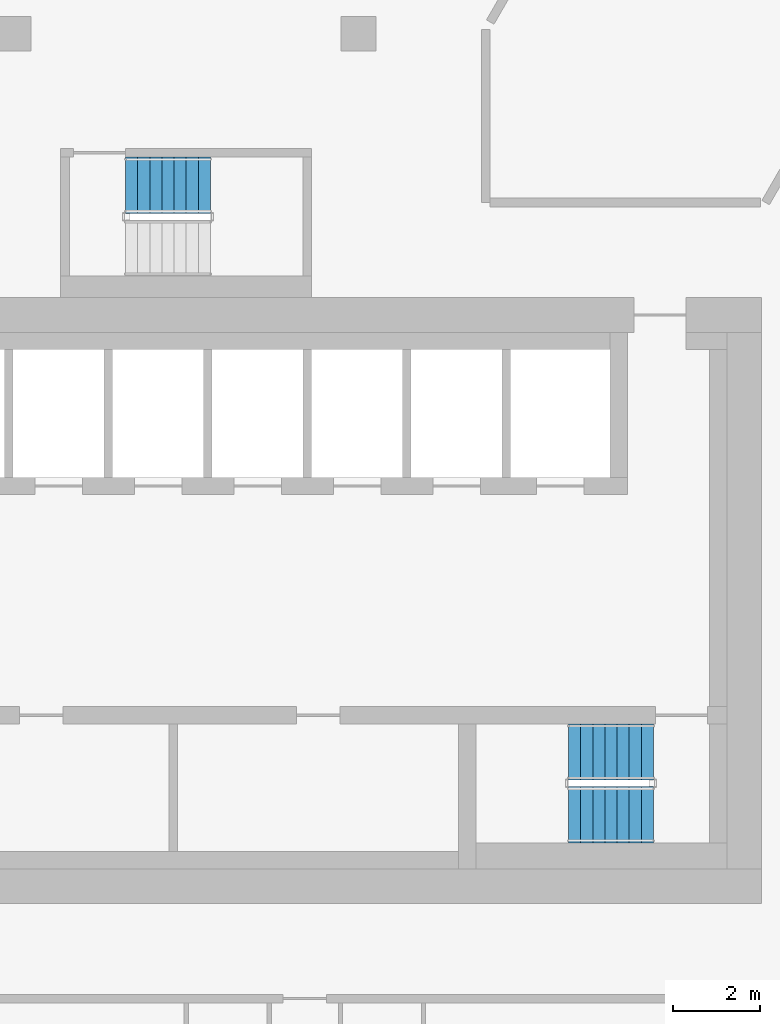
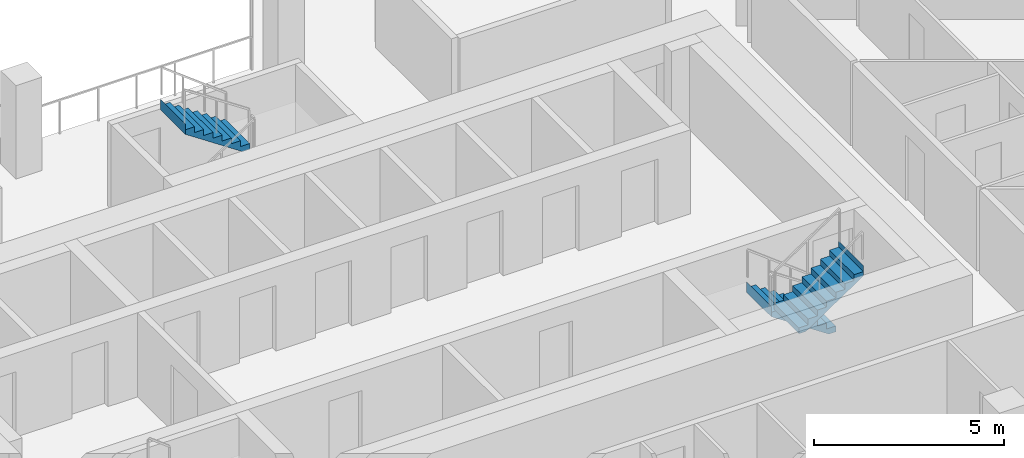
# One storey, part 11 of 15: 3 stair flights, 2 elements without a shape of their own.
"""IFC4 building model written with IfcOpenShell, lengths in metres."""

from ifc_helpers import new_model, si_unit, direction, frame, origin, place, context, subcontext, project, spatial, triangles, material, type_object, element, aggregate, save


model = new_model("IFC4")

# Units and contexts
model_context = context("Model", 3, precision=1e-05, world=origin(), true_north=direction((0.0, 1.0)))
body_context = subcontext(model_context, "Body", "Model", "MODEL_VIEW")
ifc_project = project(units=[si_unit("LENGTHUNIT", "METRE"), si_unit("AREAUNIT", "SQUARE_METRE"), si_unit("VOLUMEUNIT", "CUBIC_METRE"), si_unit("PLANEANGLEUNIT", "RADIAN"), si_unit("MASSUNIT", "GRAM", prefix="KILO")], contexts=[model_context])

# Site, building, storey
site_placement = place(None, origin())
site = spatial("IfcSite", under=ifc_project, at=site_placement, CompositionType="ELEMENT")
building_placement = place(site_placement, origin())
building = spatial("IfcBuilding", under=site, at=building_placement, Name="Beryl Residences", CompositionType="ELEMENT")
storey_placement = place(building_placement, frame((0.0, 0.0, 147.60009765625)))
storey = spatial("IfcBuildingStorey", under=building, at=storey_placement, Name="L45", CompositionType="ELEMENT", Elevation=147.60009765625)

# Stair, stair flights
ifc_material_1 = material(Name="Concrete C40/50", Category="concrete")
stair_type = type_object("IfcStairType", Name="ST1 protected exit stair, half-turn, 1300 mm flights", PredefinedType="HALF_TURN_STAIR", material=ifc_material_1)
stair_1_placement = place(storey_placement, origin())
stair_1 = element("IfcStair", 1, at=stair_1_placement, inside=storey, type_object=stair_type, Name="L45 PROTECTED EXIT STAIR ST-3", PredefinedType="HALF_TURN_STAIR")
ifc_material_2 = material(Name="Concrete C40/50", Category="concrete")
stair_flight_type = type_object("IfcStairFlightType", Name="SF1 stair flight 1300 mm", PredefinedType="STRAIGHT", material=ifc_material_2)
stair_flight_1_placement = place(storey_placement, frame((10.800048828125, -15.5, 0.0), z_axis=(0.0, 0.0, 1.0), x_axis=(-1.0, 0.0, 0.0)))
stair_flight_1 = element("IfcStairFlight", 2, at=stair_flight_1_placement, type_object=stair_flight_type, Name="ST-3 flight 1", NumberOfRisers=8, NumberOfTreads=7, PredefinedType="STRAIGHT", RiserHeight=0.1875, TreadLength=0.28, context=body_context, shape_type="Tessellation", body=[
    triangles([(0.0, -0.64990234375, 0.0), (0.0, -0.324951171875, 0.0), (0.0, 0.0, 0.0), (0.0, 0.324951171875, 0.0), (0.0, 0.64990234375, 0.0), (0.0, -0.64990234375, 0.1875), (0.0, -0.324951171875, 0.1875), (0.0, 0.0, 0.1875), (0.0, 0.324951171875, 0.1875), (0.0, 0.64990234375, 0.1875), (0.280029296875, -0.64990234375, 0.1875), (0.280029296875, -0.324951171875, 0.1875), (0.280029296875, 0.0, 0.1875), (0.280029296875, 0.324951171875, 0.1875), (0.280029296875, 0.64990234375, 0.1875), (0.280029296875, -0.64990234375, 0.375), (0.280029296875, -0.324951171875, 0.375), (0.280029296875, 0.0, 0.375), (0.280029296875, 0.324951171875, 0.375), (0.280029296875, 0.64990234375, 0.375), (0.56005859375, -0.64990234375, 0.375), (0.56005859375, -0.324951171875, 0.375), (0.56005859375, 0.0, 0.375), (0.56005859375, 0.324951171875, 0.375), (0.56005859375, 0.64990234375, 0.375), (0.56005859375, -0.64990234375, 0.5625), (0.56005859375, -0.324951171875, 0.5625), (0.56005859375, 0.0, 0.5625), (0.56005859375, 0.324951171875, 0.5625), (0.56005859375, 0.64990234375, 0.5625), (0.840087890625, -0.64990234375, 0.5625), (0.840087890625, -0.324951171875, 0.5625), (0.840087890625, 0.0, 0.5625), (0.840087890625, 0.324951171875, 0.5625), (0.840087890625, 0.64990234375, 0.5625), (0.840087890625, -0.64990234375, 0.75), (0.840087890625, -0.324951171875, 0.75), (0.840087890625, 0.0, 0.75), (0.840087890625, 0.324951171875, 0.75), (0.840087890625, 0.64990234375, 0.75), (1.1201171875, -0.64990234375, 0.75), (1.1201171875, -0.324951171875, 0.75), (1.1201171875, 0.0, 0.75), (1.1201171875, 0.324951171875, 0.75), (1.1201171875, 0.64990234375, 0.75), (1.1201171875, -0.64990234375, 0.9375), (1.1201171875, -0.324951171875, 0.9375), (1.1201171875, 0.0, 0.9375), (1.1201171875, 0.324951171875, 0.9375), (1.1201171875, 0.64990234375, 0.9375), (1.39990234375, -0.64990234375, 0.9375), (1.39990234375, -0.324951171875, 0.9375), (1.39990234375, 0.0, 0.9375), (1.39990234375, 0.324951171875, 0.9375), (1.39990234375, 0.64990234375, 0.9375), (1.39990234375, -0.64990234375, 1.125), (1.39990234375, -0.324951171875, 1.125), (1.39990234375, 0.0, 1.125), (1.39990234375, 0.324951171875, 1.125), (1.39990234375, 0.64990234375, 1.125), (1.679931640625, -0.64990234375, 1.125), (1.679931640625, -0.324951171875, 1.125), (1.679931640625, 0.0, 1.125), (1.679931640625, 0.324951171875, 1.125), (1.679931640625, 0.64990234375, 1.125), (1.679931640625, -0.64990234375, 1.3125), (1.679931640625, -0.324951171875, 1.3125), (1.679931640625, 0.0, 1.3125), (1.679931640625, 0.324951171875, 1.3125), (1.679931640625, 0.64990234375, 1.3125), (1.9599609375, -0.64990234375, 1.3125), (1.9599609375, -0.324951171875, 1.3125), (1.9599609375, 0.0, 1.3125), (1.9599609375, 0.324951171875, 1.3125), (1.9599609375, 0.64990234375, 1.3125), (1.9599609375, -0.64990234375, 1.5), (1.9599609375, -0.324951171875, 1.5), (1.9599609375, 0.0, 1.5), (1.9599609375, 0.324951171875, 1.5), (1.9599609375, 0.64990234375, 1.5), (1.9609375, -0.64990234375, 1.5), (1.9609375, -0.324951171875, 1.5), (1.9609375, 0.0, 1.5), (1.9609375, 0.324951171875, 1.5), (1.9609375, 0.64990234375, 1.5), (1.9609375, -0.64990234375, 1.16796875), (1.9609375, -0.324951171875, 1.16796875), (1.9609375, 0.0, 1.16796875), (1.9609375, 0.324951171875, 1.16796875), (1.9609375, 0.64990234375, 1.16796875), (0.216796875, -0.64990234375, 0.0), (0.216796875, -0.324951171875, 0.0), (0.216796875, 0.0, 0.0), (0.216796875, 0.324951171875, 0.0), (0.216796875, 0.64990234375, 0.0)], [[1, 6, 7], [1, 7, 2], [2, 7, 8], [2, 8, 3], [3, 8, 9], [3, 9, 4], [4, 9, 10], [4, 10, 5], [6, 11, 12], [6, 12, 7], [7, 12, 13], [7, 13, 8], [8, 13, 14], [8, 14, 9], [9, 14, 15], [9, 15, 10], [11, 16, 17], [11, 17, 12], [12, 17, 18], [12, 18, 13], [13, 18, 19], [13, 19, 14], [14, 19, 20], [14, 20, 15], [16, 21, 22], [16, 22, 17], [17, 22, 23], [17, 23, 18], [18, 23, 24], [18, 24, 19], [19, 24, 25], [19, 25, 20], [21, 26, 27], [21, 27, 22], [22, 27, 28], [22, 28, 23], [23, 28, 29], [23, 29, 24], [24, 29, 30], [24, 30, 25], [26, 31, 32], [26, 32, 27], [27, 32, 33], [27, 33, 28], [28, 33, 34], [28, 34, 29], [29, 34, 35], [29, 35, 30], [31, 36, 37], [31, 37, 32], [32, 37, 38], [32, 38, 33], [33, 38, 39], [33, 39, 34], [34, 39, 40], [34, 40, 35], [36, 41, 42], [36, 42, 37], [37, 42, 43], [37, 43, 38], [38, 43, 44], [38, 44, 39], [39, 44, 45], [39, 45, 40], [41, 46, 47], [41, 47, 42], [42, 47, 48], [42, 48, 43], [43, 48, 49], [43, 49, 44], [44, 49, 50], [44, 50, 45], [46, 51, 52], [46, 52, 47], [47, 52, 53], [47, 53, 48], [48, 53, 54], [48, 54, 49], [49, 54, 55], [49, 55, 50], [51, 56, 57], [51, 57, 52], [52, 57, 58], [52, 58, 53], [53, 58, 59], [53, 59, 54], [54, 59, 60], [54, 60, 55], [56, 61, 62], [56, 62, 57], [57, 62, 63], [57, 63, 58], [58, 63, 64], [58, 64, 59], [59, 64, 65], [59, 65, 60], [61, 66, 67], [61, 67, 62], [62, 67, 68], [62, 68, 63], [63, 68, 69], [63, 69, 64], [64, 69, 70], [64, 70, 65], [66, 71, 72], [66, 72, 67], [67, 72, 73], [67, 73, 68], [68, 73, 74], [68, 74, 69], [69, 74, 75], [69, 75, 70], [71, 76, 77], [71, 77, 72], [72, 77, 78], [72, 78, 73], [73, 78, 79], [73, 79, 74], [74, 79, 80], [74, 80, 75], [76, 81, 82], [76, 82, 77], [77, 82, 83], [77, 83, 78], [78, 83, 84], [78, 84, 79], [79, 84, 85], [79, 85, 80], [81, 86, 87], [81, 87, 82], [82, 87, 88], [82, 88, 83], [83, 88, 89], [83, 89, 84], [84, 89, 90], [84, 90, 85], [86, 91, 92], [86, 92, 87], [87, 92, 93], [87, 93, 88], [88, 93, 94], [88, 94, 89], [89, 94, 95], [89, 95, 90], [91, 1, 2], [91, 2, 92], [92, 2, 3], [92, 3, 93], [93, 3, 4], [93, 4, 94], [94, 4, 5], [94, 5, 95], [1, 91, 86], [5, 90, 95], [86, 81, 76], [90, 80, 85], [86, 76, 71], [90, 75, 80], [86, 71, 66], [90, 70, 75], [86, 66, 61], [90, 65, 70], [61, 56, 51], [65, 55, 60], [86, 61, 51], [90, 55, 65], [51, 46, 41], [55, 45, 50], [86, 51, 41], [90, 45, 55], [41, 36, 31], [45, 35, 40], [86, 41, 31], [90, 35, 45], [31, 26, 21], [35, 25, 30], [86, 31, 21], [90, 25, 35], [21, 16, 11], [25, 15, 20], [86, 21, 11], [90, 15, 25], [1, 86, 11], [5, 15, 90], [11, 6, 1], [15, 5, 10]], closed=True),
])
stair_flight_2_placement = place(storey_placement, frame((8.840087890625, -16.949951171875, 1.5), z_axis=(0.0, 0.0, 1.0), x_axis=(1.0, 0.0, 0.0)))
stair_flight_2 = element("IfcStairFlight", 3, at=stair_flight_2_placement, type_object=stair_flight_type, Name="ST-3 flight 2", NumberOfRisers=8, NumberOfTreads=7, PredefinedType="STRAIGHT", RiserHeight=0.1875, TreadLength=0.28, context=body_context, shape_type="Tessellation", body=[
    triangles([(0.0, -0.64990234375, 0.0), (0.0, -0.324951171875, 0.0), (0.0, 0.0, 0.0), (0.0, 0.324951171875, 0.0), (0.0, 0.64990234375, 0.0), (0.0, -0.64990234375, 0.1875), (0.0, -0.324951171875, 0.1875), (0.0, 0.0, 0.1875), (0.0, 0.324951171875, 0.1875), (0.0, 0.64990234375, 0.1875), (0.280029296875, -0.64990234375, 0.1875), (0.280029296875, -0.324951171875, 0.1875), (0.280029296875, 0.0, 0.1875), (0.280029296875, 0.324951171875, 0.1875), (0.280029296875, 0.64990234375, 0.1875), (0.280029296875, -0.64990234375, 0.375), (0.280029296875, -0.324951171875, 0.375), (0.280029296875, 0.0, 0.375), (0.280029296875, 0.324951171875, 0.375), (0.280029296875, 0.64990234375, 0.375), (0.56005859375, -0.64990234375, 0.375), (0.56005859375, -0.324951171875, 0.375), (0.56005859375, 0.0, 0.375), (0.56005859375, 0.324951171875, 0.375), (0.56005859375, 0.64990234375, 0.375), (0.56005859375, -0.64990234375, 0.5625), (0.56005859375, -0.324951171875, 0.5625), (0.56005859375, 0.0, 0.5625), (0.56005859375, 0.324951171875, 0.5625), (0.56005859375, 0.64990234375, 0.5625), (0.840087890625, -0.64990234375, 0.5625), (0.840087890625, -0.324951171875, 0.5625), (0.840087890625, 0.0, 0.5625), (0.840087890625, 0.324951171875, 0.5625), (0.840087890625, 0.64990234375, 0.5625), (0.840087890625, -0.64990234375, 0.75), (0.840087890625, -0.324951171875, 0.75), (0.840087890625, 0.0, 0.75), (0.840087890625, 0.324951171875, 0.75), (0.840087890625, 0.64990234375, 0.75), (1.1201171875, -0.64990234375, 0.75), (1.1201171875, -0.324951171875, 0.75), (1.1201171875, 0.0, 0.75), (1.1201171875, 0.324951171875, 0.75), (1.1201171875, 0.64990234375, 0.75), (1.1201171875, -0.64990234375, 0.9375), (1.1201171875, -0.324951171875, 0.9375), (1.1201171875, 0.0, 0.9375), (1.1201171875, 0.324951171875, 0.9375), (1.1201171875, 0.64990234375, 0.9375), (1.39990234375, -0.64990234375, 0.9375), (1.39990234375, -0.324951171875, 0.9375), (1.39990234375, 0.0, 0.9375), (1.39990234375, 0.324951171875, 0.9375), (1.39990234375, 0.64990234375, 0.9375), (1.39990234375, -0.64990234375, 1.125), (1.39990234375, -0.324951171875, 1.125), (1.39990234375, 0.0, 1.125), (1.39990234375, 0.324951171875, 1.125), (1.39990234375, 0.64990234375, 1.125), (1.679931640625, -0.64990234375, 1.125), (1.679931640625, -0.324951171875, 1.125), (1.679931640625, 0.0, 1.125), (1.679931640625, 0.324951171875, 1.125), (1.679931640625, 0.64990234375, 1.125), (1.679931640625, -0.64990234375, 1.3125), (1.679931640625, -0.324951171875, 1.3125), (1.679931640625, 0.0, 1.3125), (1.679931640625, 0.324951171875, 1.3125), (1.679931640625, 0.64990234375, 1.3125), (1.9599609375, -0.64990234375, 1.3125), (1.9599609375, -0.324951171875, 1.3125), (1.9599609375, 0.0, 1.3125), (1.9599609375, 0.324951171875, 1.3125), (1.9599609375, 0.64990234375, 1.3125), (1.9599609375, -0.64990234375, 1.5), (1.9599609375, -0.324951171875, 1.5), (1.9599609375, 0.0, 1.5), (1.9599609375, 0.324951171875, 1.5), (1.9599609375, 0.64990234375, 1.5), (1.9609375, -0.64990234375, 1.5), (1.9609375, -0.324951171875, 1.5), (1.9609375, 0.0, 1.5), (1.9609375, 0.324951171875, 1.5), (1.9609375, 0.64990234375, 1.5), (1.9609375, -0.64990234375, 1.16796875), (1.9609375, -0.324951171875, 1.16796875), (1.9609375, 0.0, 1.16796875), (1.9609375, 0.324951171875, 1.16796875), (1.9609375, 0.64990234375, 1.16796875), (0.216796875, -0.64990234375, 0.0), (0.216796875, -0.324951171875, 0.0), (0.216796875, 0.0, 0.0), (0.216796875, 0.324951171875, 0.0), (0.216796875, 0.64990234375, 0.0)], [[1, 6, 7], [1, 7, 2], [2, 7, 8], [2, 8, 3], [3, 8, 9], [3, 9, 4], [4, 9, 10], [4, 10, 5], [6, 11, 12], [6, 12, 7], [7, 12, 13], [7, 13, 8], [8, 13, 14], [8, 14, 9], [9, 14, 15], [9, 15, 10], [11, 16, 17], [11, 17, 12], [12, 17, 18], [12, 18, 13], [13, 18, 19], [13, 19, 14], [14, 19, 20], [14, 20, 15], [16, 21, 22], [16, 22, 17], [17, 22, 23], [17, 23, 18], [18, 23, 24], [18, 24, 19], [19, 24, 25], [19, 25, 20], [21, 26, 27], [21, 27, 22], [22, 27, 28], [22, 28, 23], [23, 28, 29], [23, 29, 24], [24, 29, 30], [24, 30, 25], [26, 31, 32], [26, 32, 27], [27, 32, 33], [27, 33, 28], [28, 33, 34], [28, 34, 29], [29, 34, 35], [29, 35, 30], [31, 36, 37], [31, 37, 32], [32, 37, 38], [32, 38, 33], [33, 38, 39], [33, 39, 34], [34, 39, 40], [34, 40, 35], [36, 41, 42], [36, 42, 37], [37, 42, 43], [37, 43, 38], [38, 43, 44], [38, 44, 39], [39, 44, 45], [39, 45, 40], [41, 46, 47], [41, 47, 42], [42, 47, 48], [42, 48, 43], [43, 48, 49], [43, 49, 44], [44, 49, 50], [44, 50, 45], [46, 51, 52], [46, 52, 47], [47, 52, 53], [47, 53, 48], [48, 53, 54], [48, 54, 49], [49, 54, 55], [49, 55, 50], [51, 56, 57], [51, 57, 52], [52, 57, 58], [52, 58, 53], [53, 58, 59], [53, 59, 54], [54, 59, 60], [54, 60, 55], [56, 61, 62], [56, 62, 57], [57, 62, 63], [57, 63, 58], [58, 63, 64], [58, 64, 59], [59, 64, 65], [59, 65, 60], [61, 66, 67], [61, 67, 62], [62, 67, 68], [62, 68, 63], [63, 68, 69], [63, 69, 64], [64, 69, 70], [64, 70, 65], [66, 71, 72], [66, 72, 67], [67, 72, 73], [67, 73, 68], [68, 73, 74], [68, 74, 69], [69, 74, 75], [69, 75, 70], [71, 76, 77], [71, 77, 72], [72, 77, 78], [72, 78, 73], [73, 78, 79], [73, 79, 74], [74, 79, 80], [74, 80, 75], [76, 81, 82], [76, 82, 77], [77, 82, 83], [77, 83, 78], [78, 83, 84], [78, 84, 79], [79, 84, 85], [79, 85, 80], [81, 86, 87], [81, 87, 82], [82, 87, 88], [82, 88, 83], [83, 88, 89], [83, 89, 84], [84, 89, 90], [84, 90, 85], [86, 91, 92], [86, 92, 87], [87, 92, 93], [87, 93, 88], [88, 93, 94], [88, 94, 89], [89, 94, 95], [89, 95, 90], [91, 1, 2], [91, 2, 92], [92, 2, 3], [92, 3, 93], [93, 3, 4], [93, 4, 94], [94, 4, 5], [94, 5, 95], [1, 91, 86], [5, 90, 95], [86, 81, 76], [90, 80, 85], [86, 76, 71], [90, 75, 80], [86, 71, 66], [90, 70, 75], [86, 66, 61], [90, 65, 70], [61, 56, 51], [65, 55, 60], [86, 61, 51], [90, 55, 65], [51, 46, 41], [55, 45, 50], [86, 51, 41], [90, 45, 55], [41, 36, 31], [45, 35, 40], [86, 41, 31], [90, 35, 45], [31, 26, 21], [35, 25, 30], [86, 31, 21], [90, 25, 35], [21, 16, 11], [25, 15, 20], [86, 21, 11], [90, 15, 25], [1, 86, 11], [5, 15, 90], [11, 6, 1], [15, 5, 10]], closed=True),
])
aggregate(stair_1, [stair_flight_1, stair_flight_2])

# Stair, stair flight
stair_2_placement = place(storey_placement, origin())
stair_2 = element("IfcStair", 4, at=stair_2_placement, inside=storey, type_object=stair_type, Name="L45 PROTECTED EXIT STAIR ST-4", PredefinedType="HALF_TURN_STAIR")
stair_flight_3_placement = place(storey_placement, frame((0.56005859375, -2.39990234375, 1.5), z_axis=(0.0, 0.0, 1.0), x_axis=(-1.0, 0.0, 0.0)))
stair_flight_3 = element("IfcStairFlight", 5, at=stair_flight_3_placement, type_object=stair_flight_type, Name="ST-4 flight 2", NumberOfRisers=8, NumberOfTreads=7, PredefinedType="STRAIGHT", RiserHeight=0.1875, TreadLength=0.28, context=body_context, shape_type="Tessellation", body=[
    triangles([(0.0, -0.64990234375, 0.0), (0.0, -0.324951171875, 0.0), (0.0, 0.0, 0.0), (0.0, 0.324951171875, 0.0), (0.0, 0.64990234375, 0.0), (0.0, -0.64990234375, 0.1875), (0.0, -0.324951171875, 0.1875), (0.0, 0.0, 0.1875), (0.0, 0.324951171875, 0.1875), (0.0, 0.64990234375, 0.1875), (0.280029296875, -0.64990234375, 0.1875), (0.280029296875, -0.324951171875, 0.1875), (0.280029296875, 0.0, 0.1875), (0.280029296875, 0.324951171875, 0.1875), (0.280029296875, 0.64990234375, 0.1875), (0.280029296875, -0.64990234375, 0.375), (0.280029296875, -0.324951171875, 0.375), (0.280029296875, 0.0, 0.375), (0.280029296875, 0.324951171875, 0.375), (0.280029296875, 0.64990234375, 0.375), (0.56005859375, -0.64990234375, 0.375), (0.56005859375, -0.324951171875, 0.375), (0.56005859375, 0.0, 0.375), (0.56005859375, 0.324951171875, 0.375), (0.56005859375, 0.64990234375, 0.375), (0.56005859375, -0.64990234375, 0.5625), (0.56005859375, -0.324951171875, 0.5625), (0.56005859375, 0.0, 0.5625), (0.56005859375, 0.324951171875, 0.5625), (0.56005859375, 0.64990234375, 0.5625), (0.840087890625, -0.64990234375, 0.5625), (0.840087890625, -0.324951171875, 0.5625), (0.840087890625, 0.0, 0.5625), (0.840087890625, 0.324951171875, 0.5625), (0.840087890625, 0.64990234375, 0.5625), (0.840087890625, -0.64990234375, 0.75), (0.840087890625, -0.324951171875, 0.75), (0.840087890625, 0.0, 0.75), (0.840087890625, 0.324951171875, 0.75), (0.840087890625, 0.64990234375, 0.75), (1.1201171875, -0.64990234375, 0.75), (1.1201171875, -0.324951171875, 0.75), (1.1201171875, 0.0, 0.75), (1.1201171875, 0.324951171875, 0.75), (1.1201171875, 0.64990234375, 0.75), (1.1201171875, -0.64990234375, 0.9375), (1.1201171875, -0.324951171875, 0.9375), (1.1201171875, 0.0, 0.9375), (1.1201171875, 0.324951171875, 0.9375), (1.1201171875, 0.64990234375, 0.9375), (1.39990234375, -0.64990234375, 0.9375), (1.39990234375, -0.324951171875, 0.9375), (1.39990234375, 0.0, 0.9375), (1.39990234375, 0.324951171875, 0.9375), (1.39990234375, 0.64990234375, 0.9375), (1.39990234375, -0.64990234375, 1.125), (1.39990234375, -0.324951171875, 1.125), (1.39990234375, 0.0, 1.125), (1.39990234375, 0.324951171875, 1.125), (1.39990234375, 0.64990234375, 1.125), (1.679931640625, -0.64990234375, 1.125), (1.679931640625, -0.324951171875, 1.125), (1.679931640625, 0.0, 1.125), (1.679931640625, 0.324951171875, 1.125), (1.679931640625, 0.64990234375, 1.125), (1.679931640625, -0.64990234375, 1.3125), (1.679931640625, -0.324951171875, 1.3125), (1.679931640625, 0.0, 1.3125), (1.679931640625, 0.324951171875, 1.3125), (1.679931640625, 0.64990234375, 1.3125), (1.9599609375, -0.64990234375, 1.3125), (1.9599609375, -0.324951171875, 1.3125), (1.9599609375, 0.0, 1.3125), (1.9599609375, 0.324951171875, 1.3125), (1.9599609375, 0.64990234375, 1.3125), (1.9599609375, -0.64990234375, 1.5), (1.9599609375, -0.324951171875, 1.5), (1.9599609375, 0.0, 1.5), (1.9599609375, 0.324951171875, 1.5), (1.9599609375, 0.64990234375, 1.5), (1.9609375, -0.64990234375, 1.5), (1.9609375, -0.324951171875, 1.5), (1.9609375, 0.0, 1.5), (1.9609375, 0.324951171875, 1.5), (1.9609375, 0.64990234375, 1.5), (1.9609375, -0.64990234375, 1.16796875), (1.9609375, -0.324951171875, 1.16796875), (1.9609375, 0.0, 1.16796875), (1.9609375, 0.324951171875, 1.16796875), (1.9609375, 0.64990234375, 1.16796875), (0.216796875, -0.64990234375, 0.0), (0.216796875, -0.324951171875, 0.0), (0.216796875, 0.0, 0.0), (0.216796875, 0.324951171875, 0.0), (0.216796875, 0.64990234375, 0.0)], [[1, 6, 7], [1, 7, 2], [2, 7, 8], [2, 8, 3], [3, 8, 9], [3, 9, 4], [4, 9, 10], [4, 10, 5], [6, 11, 12], [6, 12, 7], [7, 12, 13], [7, 13, 8], [8, 13, 14], [8, 14, 9], [9, 14, 15], [9, 15, 10], [11, 16, 17], [11, 17, 12], [12, 17, 18], [12, 18, 13], [13, 18, 19], [13, 19, 14], [14, 19, 20], [14, 20, 15], [16, 21, 22], [16, 22, 17], [17, 22, 23], [17, 23, 18], [18, 23, 24], [18, 24, 19], [19, 24, 25], [19, 25, 20], [21, 26, 27], [21, 27, 22], [22, 27, 28], [22, 28, 23], [23, 28, 29], [23, 29, 24], [24, 29, 30], [24, 30, 25], [26, 31, 32], [26, 32, 27], [27, 32, 33], [27, 33, 28], [28, 33, 34], [28, 34, 29], [29, 34, 35], [29, 35, 30], [31, 36, 37], [31, 37, 32], [32, 37, 38], [32, 38, 33], [33, 38, 39], [33, 39, 34], [34, 39, 40], [34, 40, 35], [36, 41, 42], [36, 42, 37], [37, 42, 43], [37, 43, 38], [38, 43, 44], [38, 44, 39], [39, 44, 45], [39, 45, 40], [41, 46, 47], [41, 47, 42], [42, 47, 48], [42, 48, 43], [43, 48, 49], [43, 49, 44], [44, 49, 50], [44, 50, 45], [46, 51, 52], [46, 52, 47], [47, 52, 53], [47, 53, 48], [48, 53, 54], [48, 54, 49], [49, 54, 55], [49, 55, 50], [51, 56, 57], [51, 57, 52], [52, 57, 58], [52, 58, 53], [53, 58, 59], [53, 59, 54], [54, 59, 60], [54, 60, 55], [56, 61, 62], [56, 62, 57], [57, 62, 63], [57, 63, 58], [58, 63, 64], [58, 64, 59], [59, 64, 65], [59, 65, 60], [61, 66, 67], [61, 67, 62], [62, 67, 68], [62, 68, 63], [63, 68, 69], [63, 69, 64], [64, 69, 70], [64, 70, 65], [66, 71, 72], [66, 72, 67], [67, 72, 73], [67, 73, 68], [68, 73, 74], [68, 74, 69], [69, 74, 75], [69, 75, 70], [71, 76, 77], [71, 77, 72], [72, 77, 78], [72, 78, 73], [73, 78, 79], [73, 79, 74], [74, 79, 80], [74, 80, 75], [76, 81, 82], [76, 82, 77], [77, 82, 83], [77, 83, 78], [78, 83, 84], [78, 84, 79], [79, 84, 85], [79, 85, 80], [81, 86, 87], [81, 87, 82], [82, 87, 88], [82, 88, 83], [83, 88, 89], [83, 89, 84], [84, 89, 90], [84, 90, 85], [86, 91, 92], [86, 92, 87], [87, 92, 93], [87, 93, 88], [88, 93, 94], [88, 94, 89], [89, 94, 95], [89, 95, 90], [91, 1, 2], [91, 2, 92], [92, 2, 3], [92, 3, 93], [93, 3, 4], [93, 4, 94], [94, 4, 5], [94, 5, 95], [1, 91, 86], [5, 90, 95], [86, 81, 76], [90, 80, 85], [86, 76, 71], [90, 75, 80], [86, 71, 66], [90, 70, 75], [86, 66, 61], [90, 65, 70], [61, 56, 51], [65, 55, 60], [86, 61, 51], [90, 55, 65], [51, 46, 41], [55, 45, 50], [86, 51, 41], [90, 45, 55], [41, 36, 31], [45, 35, 40], [86, 41, 31], [90, 35, 45], [31, 26, 21], [35, 25, 30], [86, 31, 21], [90, 25, 35], [21, 16, 11], [25, 15, 20], [86, 21, 11], [90, 15, 25], [1, 86, 11], [5, 15, 90], [11, 6, 1], [15, 5, 10]], closed=True),
])
aggregate(stair_2, [stair_flight_3])

save(model, "model.ifc")
